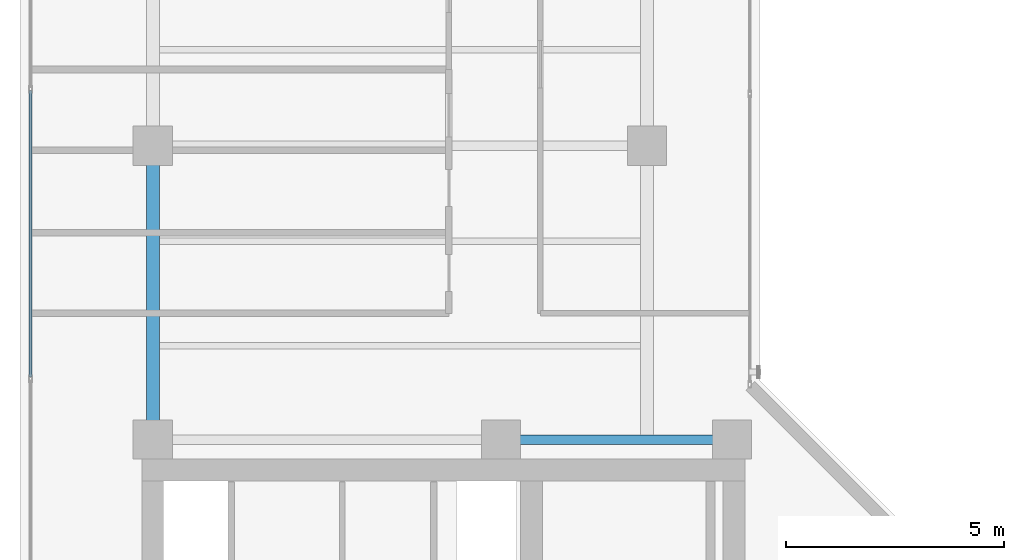
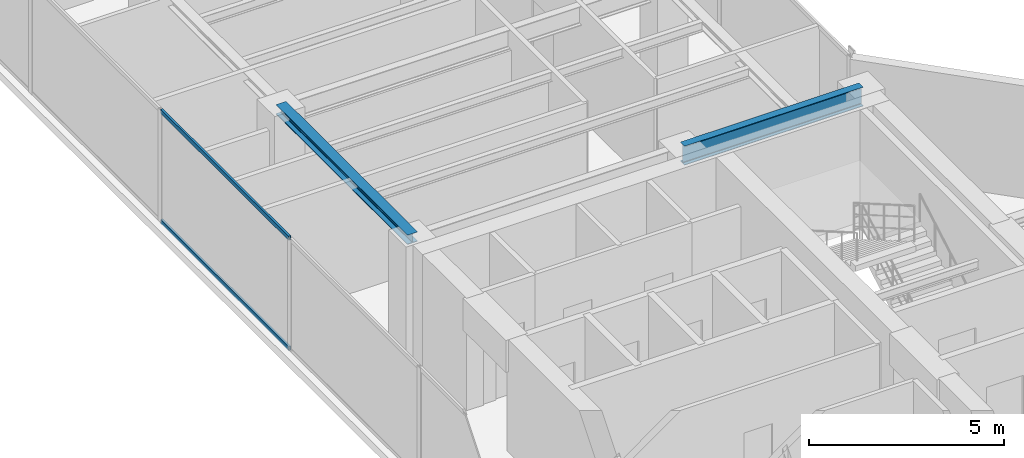
# One storey, part 10 of 32: 2 beams, 2 members, 1 element without a shape of its own.
"""IFC4 building model written with IfcOpenShell, lengths in metres."""

from ifc_helpers import new_model, si_unit, direction, frame, origin, origin_with_axes, origin_2d, place, context, subcontext, project, spatial, hollow_rectangle, i_section, extrude, source, transform, mapped, material, layer, layer_set, material_profile, profile_set, type_object, element, aggregate, save


model = new_model("IFC4")

# Units and contexts
model_context = context("Model", 3, precision=1e-05, world=origin(), true_north=direction((0.0, 1.0)))
body_context = subcontext(model_context, "Body", "Model", "MODEL_VIEW")
ifc_project = project(units=[si_unit("LENGTHUNIT", "METRE"), si_unit("AREAUNIT", "SQUARE_METRE"), si_unit("VOLUMEUNIT", "CUBIC_METRE"), si_unit("PLANEANGLEUNIT", "RADIAN"), si_unit("MASSUNIT", "GRAM", prefix="KILO")], contexts=[model_context])

# Site, building, storey
site_placement = place(None, origin())
site = spatial("IfcSite", under=ifc_project, at=site_placement, CompositionType="ELEMENT")
building_placement = place(site_placement, origin())
building = spatial("IfcBuilding", under=site, at=building_placement, Name="Kolvaren Waterfront Exchange", CompositionType="ELEMENT")
storey_placement = place(building_placement, frame((0.0, 0.0, 348.10009765625)))
storey = spatial("IfcBuildingStorey", under=building, at=storey_placement, Name="L89", CompositionType="ELEMENT", Elevation=348.10009765625)

# Beams
ifc_material_1 = material(Name="Steel S355", Category="steel")
ifc_material_profile_1 = material_profile(ifc_material_1, i_section(OverallWidth=0.300048828125, OverallDepth=0.300048828125, WebThickness=0.010986328125, FlangeThickness=0.01904296875, FilletRadius=0.027099609375, at=origin_2d()), Name="HEB300")
ifc_profile_set_1 = profile_set([ifc_material_profile_1], Name="Steel S355")
beam_type_1 = type_object("IfcBeamType", Name="STR-BM-HEB300", PredefinedType="SPANDREL", material=ifc_profile_set_1)
beam_1_placement = place(storey_placement, frame((7.449951171875, 24.449951171875, 3.369873046875), z_axis=(0.0, 1.0, 0.0), x_axis=(-1.0, 0.0, 0.0)))
element("IfcBeam", 1, at=beam_1_placement, inside=storey, type_object=beam_type_1, Name="L89 north-arm edge beam 1", PredefinedType="SPANDREL", context=body_context, shape_type="SweptSolid", body=[
    extrude(i_section(OverallWidth=0.300048828125, OverallDepth=0.300048828125, WebThickness=0.010986328125, FlangeThickness=0.01904296875, FilletRadius=0.027099609375, at=origin_2d()), origin(), (0.0, 0.0, 1.0), 6.75),
])
ifc_material_profile_2 = material_profile(ifc_material_1, i_section(OverallWidth=0.219970703125, OverallDepth=0.60009765625, WebThickness=0.011962890625, FlangeThickness=0.01904296875, FilletRadius=0.02392578125, at=origin_2d()), Name="IPE600")
ifc_profile_set_2 = profile_set([ifc_material_profile_2], Name="Steel S355")
beam_type_2 = type_object("IfcBeamType", Name="STR-BM-IPE600", PredefinedType="BEAM", material=ifc_profile_set_2)
beam_2_placement = place(storey_placement, frame((15.449951171875, 24.449951171875, 3.219970703125), z_axis=(1.0, 0.0, 0.0), x_axis=(0.0, 1.0, 0.0)))
element("IfcBeam", 2, at=beam_2_placement, inside=storey, type_object=beam_type_2, Name="L89 north-arm girder 1B", PredefinedType="BEAM", context=body_context, shape_type="SweptSolid", body=[
    extrude(i_section(OverallWidth=0.219970703125, OverallDepth=0.60009765625, WebThickness=0.011962890625, FlangeThickness=0.01904296875, FilletRadius=0.02392578125, at=origin_2d()), origin(), (0.0, 0.0, 1.0), 5.300048828125),
])

# Curtain wall, members
ifc_material_2 = material(Name="Anodised bronze aluminium 6063-T6", Category="aluminium")
ifc_layer = layer(ifc_material_2, 0.219970703125, Name="Anodised bronze aluminium 6063-T6")
ifc_layer_set = layer_set([ifc_layer], Name="Anodised bronze aluminium 6063-T6")
curtain_wall_type = type_object("IfcCurtainWallType", Name="ARC-CW-SYS5", PredefinedType="USERDEFINED", material=ifc_layer_set)
curtain_wall_placement = place(storey_placement, origin())
curtain_wall = element("IfcCurtainWall", 3, at=curtain_wall_placement, inside=storey, type_object=curtain_wall_type, Name="L89 stick curtain wall CW5 (CW-L89-W)", ObjectType="STICK CURTAIN WALL", PredefinedType="USERDEFINED")
ifc_material_profile_3 = material_profile(ifc_material_2, hollow_rectangle(XDim=0.06494140625, YDim=0.1298828125, WallThickness=0.00390625, at=origin_2d()), Name="ALU-TRN-130x65x4")
ifc_profile_set_3 = profile_set([ifc_material_profile_3], Name="Anodised bronze aluminium 6063-T6")
member_type = type_object("IfcMemberType", Name="ARC-CWT-130", PredefinedType="USERDEFINED", material=ifc_profile_set_3)
shared_shape = source(origin_with_axes(), body_context, "Body", "SweptSolid", [
    extrude(hollow_rectangle(XDim=0.06494140625, YDim=0.1298828125, WallThickness=0.00390625, at=origin_2d()), origin(), (0.0, 0.0, 1.0), 6.574951171875),
])
member_1_placement = place(storey_placement, frame((4.639892578125, 25.887451171875, 0.032470703125), z_axis=(0.0, 1.0, 0.0), x_axis=(-1.0, 0.0, 0.0)))
member_1 = element("IfcMember", 4, at=member_1_placement, type_object=member_type, Name="CW5 transom 4.1", ObjectType="TRANSOM", PredefinedType="USERDEFINED", context=body_context, shape_type="MappedRepresentation", body=[
    mapped(shared_shape, transform((0.0, 0.0, 0.0), x_axis=(1.0, 0.0, 0.0), y_axis=(0.0, 1.0, 0.0), z_axis=(0.0, 0.0, 1.0), scale=1.0)),
])
member_2_placement = place(storey_placement, frame((4.639892578125, 25.887451171875, 3.4873046875), z_axis=(0.0, 1.0, 0.0), x_axis=(-1.0, 0.0, 0.0)))
member_2 = element("IfcMember", 5, at=member_2_placement, type_object=member_type, Name="CW5 transom 4.2", ObjectType="TRANSOM", PredefinedType="USERDEFINED", context=body_context, shape_type="MappedRepresentation", body=[
    mapped(shared_shape, transform((0.0, 0.0, 0.0), x_axis=(1.0, 0.0, 0.0), y_axis=(0.0, 1.0, 0.0), z_axis=(0.0, 0.0, 1.0), scale=1.0)),
])
aggregate(curtain_wall, [member_1, member_2])

save(model, "model.ifc")
